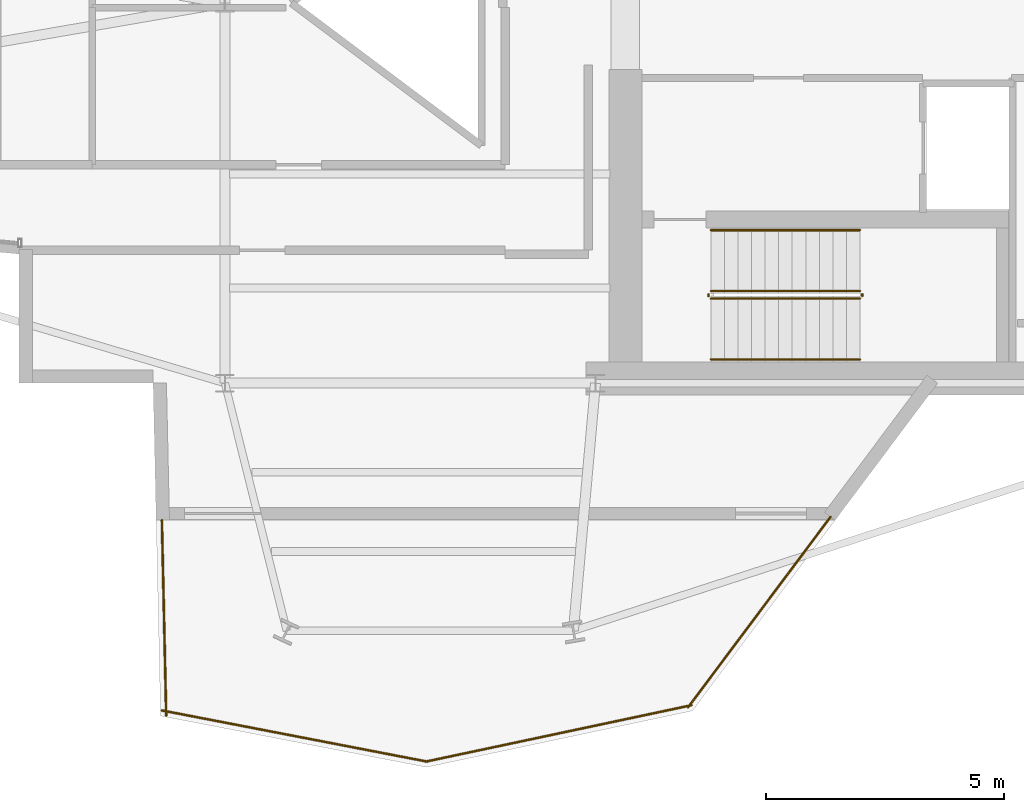
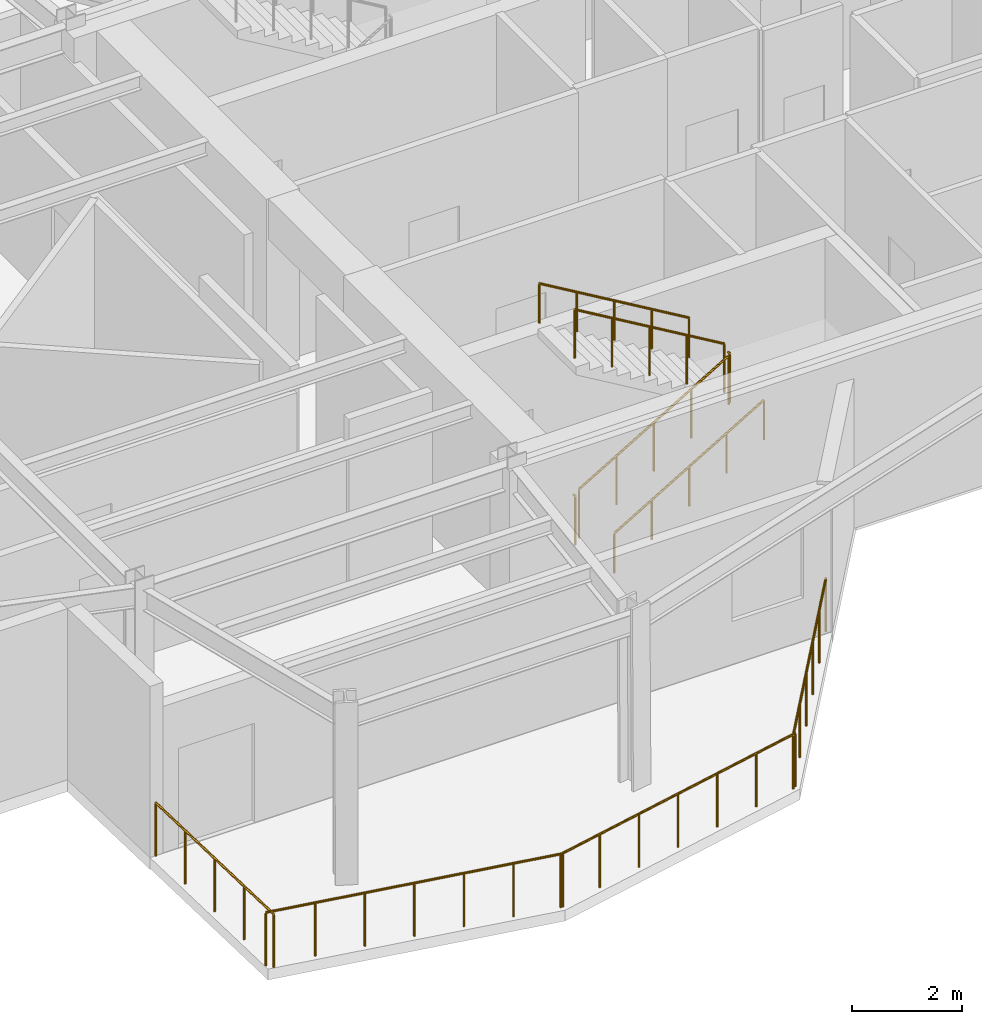
# One storey, part 17 of 18: 10 railings.
"""IFC4 building model written with IfcOpenShell, lengths in metres."""

from ifc_helpers import new_model, si_unit, direction, frame, origin, origin_2d, place, context, subcontext, project, spatial, circle, extrude, material, type_object, element, save


model = new_model("IFC4")

# Units and contexts
model_context = context("Model", 3, precision=1e-05, world=origin(), true_north=direction((0.0, 1.0)))
body_context = subcontext(model_context, "Body", "Model", "MODEL_VIEW")
ifc_project = project(units=[si_unit("LENGTHUNIT", "METRE"), si_unit("AREAUNIT", "SQUARE_METRE"), si_unit("VOLUMEUNIT", "CUBIC_METRE"), si_unit("PLANEANGLEUNIT", "RADIAN"), si_unit("MASSUNIT", "GRAM", prefix="KILO")], contexts=[model_context])

# Site, building, storey
site_placement = place(None, origin())
site = spatial("IfcSite", under=ifc_project, at=site_placement, CompositionType="ELEMENT")
building_placement = place(site_placement, origin())
building = spatial("IfcBuilding", under=site, at=building_placement, Name="Veymaron Broadcast Tower", CompositionType="ELEMENT")
storey_placement = place(building_placement, frame((0.0, 0.0, 236.39990234375)))
storey = spatial("IfcBuildingStorey", under=building, at=storey_placement, Name="L55", CompositionType="ELEMENT", Elevation=236.39990234375)

# Railings
ifc_material_1 = material(Name="Brushed stainless steel AISI 304", Category="steel")
railing_type_1 = type_object("IfcRailingType", Name="RAIL-STAIR-HR", PredefinedType="HANDRAIL", material=ifc_material_1)
railing_1_placement = place(storey_placement, frame((41.429931640625, 16.5, 0.1689453125)))
element("IfcRailing", 1, at=railing_1_placement, inside=storey, type_object=railing_type_1, Name="L55 ST2 stair handrail 1", PredefinedType="HANDRAIL", context=body_context, shape_type="SweptSolid", body=[
    extrude(circle(Radius=0.02392578125, at=origin_2d()), frame((0.0, 0.0, 0.8759765625), z_axis=(0.860481960309, 0.0, 0.509480908359), x_axis=(0.0, 1.0, 0.0)), (0.0, 0.0, 1.0), 3.643310546875),
    extrude(circle(Radius=0.02099609375, at=origin_2d()), origin(), (0.0, 0.0, 1.0), 0.851806640625),
    extrude(circle(Radius=0.02099609375, at=origin_2d()), frame((0.78369140625, 0.0, 0.464111328125)), (0.0, 0.0, 1.0), 0.851806640625),
    extrude(circle(Radius=0.02099609375, at=origin_2d()), frame((1.5673828125, 0.0, 0.92822265625)), (0.0, 0.0, 1.0), 0.851806640625),
    extrude(circle(Radius=0.02099609375, at=origin_2d()), frame((2.351318359375, 0.0, 1.39208984375)), (0.0, 0.0, 1.0), 0.851806640625),
    extrude(circle(Radius=0.02099609375, at=origin_2d()), frame((3.135009765625, 0.0, 1.856201171875)), (0.0, 0.0, 1.0), 0.851806640625),
])
railing_2_placement = place(storey_placement, frame((44.56494140625, 19.219970703125, 2.19384765625)))
element("IfcRailing", 2, at=railing_2_placement, inside=storey, type_object=railing_type_1, Name="L55 ST2 stair handrail 2", PredefinedType="HANDRAIL", context=body_context, shape_type="SweptSolid", body=[
    extrude(circle(Radius=0.02392578125, at=origin_2d()), frame((0.0, 0.0, 0.8759765625), z_axis=(-0.860481960309, 0.0, 0.509480908359), x_axis=(0.0, -1.0, 0.0)), (0.0, 0.0, 1.0), 3.643310546875),
    extrude(circle(Radius=0.02099609375, at=origin_2d()), origin(), (0.0, 0.0, 1.0), 0.851806640625),
    extrude(circle(Radius=0.02099609375, at=origin_2d()), frame((-0.78369140625, 0.0, 0.464111328125)), (0.0, 0.0, 1.0), 0.851806640625),
    extrude(circle(Radius=0.02099609375, at=origin_2d()), frame((-1.5673828125, 0.0, 0.92822265625)), (0.0, 0.0, 1.0), 0.851806640625),
    extrude(circle(Radius=0.02099609375, at=origin_2d()), frame((-2.351318359375, 0.0, 1.39208984375)), (0.0, 0.0, 1.0), 0.851806640625),
    extrude(circle(Radius=0.02099609375, at=origin_2d()), frame((-3.135009765625, 0.0, 1.856201171875)), (0.0, 0.0, 1.0), 0.851806640625),
])
ifc_material_2 = material(Name="Laminated structural sentry-glass and stainless steel AISI 316L", Category="steel")
railing_type_2 = type_object("IfcRailingType", Name="RAIL-TERR-1200", PredefinedType="GUARDRAIL", material=ifc_material_2)
railing_3_placement = place(storey_placement, frame((40.947021484375, 9.17578125, 0.0)))
element("IfcRailing", 3, at=railing_3_placement, inside=storey, type_object=railing_type_2, Name="L55 sky-terrace perimeter guardrail 1", PredefinedType="GUARDRAIL", context=body_context, shape_type="SweptSolid", body=[
    extrude(circle(Radius=0.02392578125, at=origin_2d()), frame((0.0, 0.0, 1.17578125), z_axis=(0.598986022273, 0.800759480195, 0.0), x_axis=(-0.800759480195, 0.598986022273, 0.0)), (0.0, 0.0, 1.0), 5.010498046875),
    extrude(circle(Radius=0.02099609375, at=origin_2d()), origin(), (0.0, 0.0, 1.0), 1.15185546875),
    extrude(circle(Radius=0.02099609375, at=origin_2d()), frame((0.600341796875, 0.802490234375, 0.0)), (0.0, 0.0, 1.0), 1.15185546875),
    extrude(circle(Radius=0.02099609375, at=origin_2d()), frame((1.200439453125, 1.60498046875, 0.0)), (0.0, 0.0, 1.0), 1.15185546875),
    extrude(circle(Radius=0.02099609375, at=origin_2d()), frame((1.80078125, 2.4072265625, 0.0)), (0.0, 0.0, 1.0), 1.15185546875),
    extrude(circle(Radius=0.02099609375, at=origin_2d()), frame((2.40087890625, 3.209716796875, 0.0)), (0.0, 0.0, 1.0), 1.15185546875),
    extrude(circle(Radius=0.02099609375, at=origin_2d()), frame((3.001220703125, 4.01220703125, 0.0)), (0.0, 0.0, 1.0), 1.15185546875),
])
railing_4_placement = place(storey_placement, frame((29.87353515625, 13.11865234375, 0.0)))
element("IfcRailing", 4, at=railing_4_placement, inside=storey, type_object=railing_type_2, Name="L55 sky-terrace perimeter guardrail 3", PredefinedType="GUARDRAIL", context=body_context, shape_type="SweptSolid", body=[
    extrude(circle(Radius=0.02392578125, at=origin_2d()), frame((0.0, 0.0, 1.17578125), z_axis=(0.022157521778, -0.999754491977, 0.0), x_axis=(0.999754491977, 0.022157521778, 0.0)), (0.0, 0.0, 1.0), 4.120849609375),
    extrude(circle(Radius=0.02099609375, at=origin_2d()), origin(), (0.0, 0.0, 1.0), 1.15185546875),
    extrude(circle(Radius=0.02099609375, at=origin_2d()), frame((0.02294921875, -1.030029296875, 0.0)), (0.0, 0.0, 1.0), 1.15185546875),
    extrude(circle(Radius=0.02099609375, at=origin_2d()), frame((0.045654296875, -2.06005859375, 0.0)), (0.0, 0.0, 1.0), 1.15185546875),
    extrude(circle(Radius=0.02099609375, at=origin_2d()), frame((0.068359375, -3.08984375, 0.0)), (0.0, 0.0, 1.0), 1.15185546875),
    extrude(circle(Radius=0.02099609375, at=origin_2d()), frame((0.09130859375, -4.119873046875, 0.0)), (0.0, 0.0, 1.0), 1.15185546875),
])
railing_5_placement = place(storey_placement, frame((29.867431640625, 9.11376953125, 0.0)))
element("IfcRailing", 5, at=railing_5_placement, inside=storey, type_object=railing_type_2, Name="L55 sky-terrace perimeter guardrail 4", PredefinedType="GUARDRAIL", context=body_context, shape_type="SweptSolid", body=[
    extrude(circle(Radius=0.02392578125, at=origin_2d()), frame((0.0, 0.0, 1.17578125), z_axis=(0.981899717951, -0.189401541409, 0.0), x_axis=(0.189401541409, 0.981899717951, 0.0)), (0.0, 0.0, 1.0), 5.70263671875),
    extrude(circle(Radius=0.02099609375, at=origin_2d()), origin(), (0.0, 0.0, 1.0), 1.15185546875),
    extrude(circle(Radius=0.02099609375, at=origin_2d()), frame((0.93310546875, -0.179931640625, 0.0)), (0.0, 0.0, 1.0), 1.15185546875),
    extrude(circle(Radius=0.02099609375, at=origin_2d()), frame((1.866455078125, -0.360107421875, 0.0)), (0.0, 0.0, 1.0), 1.15185546875),
    extrude(circle(Radius=0.02099609375, at=origin_2d()), frame((2.7998046875, -0.5400390625, 0.0)), (0.0, 0.0, 1.0), 1.15185546875),
    extrude(circle(Radius=0.02099609375, at=origin_2d()), frame((3.73291015625, -0.719970703125, 0.0)), (0.0, 0.0, 1.0), 1.15185546875),
    extrude(circle(Radius=0.02099609375, at=origin_2d()), frame((4.666015625, -0.900146484375, 0.0)), (0.0, 0.0, 1.0), 1.15185546875),
    extrude(circle(Radius=0.02099609375, at=origin_2d()), frame((5.599365234375, -1.080078125, 0.0)), (0.0, 0.0, 1.0), 1.15185546875),
])
railing_6_placement = place(storey_placement, frame((35.419189453125, 8.033447265625, 0.0)))
element("IfcRailing", 6, at=railing_6_placement, inside=storey, type_object=railing_type_2, Name="L55 sky-terrace perimeter guardrail 5", PredefinedType="GUARDRAIL", context=body_context, shape_type="SweptSolid", body=[
    extrude(circle(Radius=0.02392578125, at=origin_2d()), frame((0.0, 0.0, 1.17578125), z_axis=(0.978223629053, 0.207553683569, 0.0), x_axis=(-0.207553683569, 0.978223629053, 0.0)), (0.0, 0.0, 1.0), 5.723876953125),
    extrude(circle(Radius=0.02099609375, at=origin_2d()), origin(), (0.0, 0.0, 1.0), 1.15185546875),
    extrude(circle(Radius=0.02099609375, at=origin_2d()), frame((0.93310546875, 0.197998046875, 0.0)), (0.0, 0.0, 1.0), 1.15185546875),
    extrude(circle(Radius=0.02099609375, at=origin_2d()), frame((1.866455078125, 0.39599609375, 0.0)), (0.0, 0.0, 1.0), 1.15185546875),
    extrude(circle(Radius=0.02099609375, at=origin_2d()), frame((2.799560546875, 0.593994140625, 0.0)), (0.0, 0.0, 1.0), 1.15185546875),
    extrude(circle(Radius=0.02099609375, at=origin_2d()), frame((3.732666015625, 0.7919921875, 0.0)), (0.0, 0.0, 1.0), 1.15185546875),
    extrude(circle(Radius=0.02099609375, at=origin_2d()), frame((4.666015625, 0.989990234375, 0.0)), (0.0, 0.0, 1.0), 1.15185546875),
    extrude(circle(Radius=0.02099609375, at=origin_2d()), frame((5.59912109375, 1.18798828125, 0.0)), (0.0, 0.0, 1.0), 1.15185546875),
])
ifc_material_3 = material(Name="Painted galvanized steel balustrade", Category="steel")
railing_type_3 = type_object("IfcRailingType", Name="RAIL-WELL-GRD", PredefinedType="GUARDRAIL", material=ifc_material_3)
railing_7_placement = place(storey_placement, frame((41.429931640625, 17.780029296875, 0.1689453125)))
element("IfcRailing", 7, at=railing_7_placement, inside=storey, type_object=railing_type_3, Name="L55 ST2 stair guard 1", PredefinedType="GUARDRAIL", context=body_context, shape_type="SweptSolid", body=[
    extrude(circle(Radius=0.02392578125, at=origin_2d()), frame((0.0, 0.0, 1.076171875), z_axis=(0.860481960309, 0.0, 0.509480908359), x_axis=(0.0, 1.0, 0.0)), (0.0, 0.0, 1.0), 3.643310546875),
    extrude(circle(Radius=0.02099609375, at=origin_2d()), origin(), (0.0, 0.0, 1.0), 1.052001953125),
    extrude(circle(Radius=0.02099609375, at=origin_2d()), frame((0.78369140625, 0.0, 0.464111328125)), (0.0, 0.0, 1.0), 1.052001953125),
    extrude(circle(Radius=0.02099609375, at=origin_2d()), frame((1.5673828125, 0.0, 0.92822265625)), (0.0, 0.0, 1.0), 1.052001953125),
    extrude(circle(Radius=0.02099609375, at=origin_2d()), frame((2.351318359375, 0.0, 1.39208984375)), (0.0, 0.0, 1.0), 1.052001953125),
    extrude(circle(Radius=0.02099609375, at=origin_2d()), frame((3.135009765625, 0.0, 1.856201171875)), (0.0, 0.0, 1.0), 1.052001953125),
])
railing_8_placement = place(storey_placement, frame((44.614990234375, 17.830078125, 2.025146484375)))
element("IfcRailing", 8, at=railing_8_placement, inside=storey, type_object=railing_type_3, Name="L55 ST2 stair guard 2", PredefinedType="GUARDRAIL", context=body_context, shape_type="SweptSolid", body=[
    extrude(circle(Radius=0.02392578125, at=origin_2d()), frame((0.0, 0.0, 1.076171875), z_axis=(0.0, 1.0, 0.0), x_axis=(-1.0, 0.0, 0.0)), (0.0, 0.0, 1.0), 0.059814453125),
    extrude(circle(Radius=0.02099609375, at=origin_2d()), origin(), (0.0, 0.0, 1.0), 1.052001953125),
])
railing_9_placement = place(storey_placement, frame((44.56494140625, 17.93994140625, 2.19384765625)))
element("IfcRailing", 9, at=railing_9_placement, inside=storey, type_object=railing_type_3, Name="L55 ST2 stair guard 3", PredefinedType="GUARDRAIL", context=body_context, shape_type="SweptSolid", body=[
    extrude(circle(Radius=0.02392578125, at=origin_2d()), frame((0.0, 0.0, 1.076171875), z_axis=(-0.860481960309, 0.0, 0.509480908359), x_axis=(0.0, -1.0, 0.0)), (0.0, 0.0, 1.0), 3.643310546875),
    extrude(circle(Radius=0.02099609375, at=origin_2d()), origin(), (0.0, 0.0, 1.0), 1.052001953125),
    extrude(circle(Radius=0.02099609375, at=origin_2d()), frame((-0.78369140625, 0.0, 0.464111328125)), (0.0, 0.0, 1.0), 1.052001953125),
    extrude(circle(Radius=0.02099609375, at=origin_2d()), frame((-1.5673828125, 0.0, 0.92822265625)), (0.0, 0.0, 1.0), 1.052001953125),
    extrude(circle(Radius=0.02099609375, at=origin_2d()), frame((-2.351318359375, 0.0, 1.39208984375)), (0.0, 0.0, 1.0), 1.052001953125),
    extrude(circle(Radius=0.02099609375, at=origin_2d()), frame((-3.135009765625, 0.0, 1.856201171875)), (0.0, 0.0, 1.0), 1.052001953125),
])
railing_10_placement = place(storey_placement, frame((41.3798828125, 17.830078125, 0.0)))
element("IfcRailing", 10, at=railing_10_placement, inside=storey, type_object=railing_type_3, Name="L55 ST2 stair guard 4", PredefinedType="GUARDRAIL", context=body_context, shape_type="SweptSolid", body=[
    extrude(circle(Radius=0.02392578125, at=origin_2d()), frame((0.0, 0.0, 1.076171875), z_axis=(0.0, 1.0, 0.0), x_axis=(-1.0, 0.0, 0.0)), (0.0, 0.0, 1.0), 0.059814453125),
    extrude(circle(Radius=0.02099609375, at=origin_2d()), origin(), (0.0, 0.0, 1.0), 1.052001953125),
])

save(model, "model.ifc")
